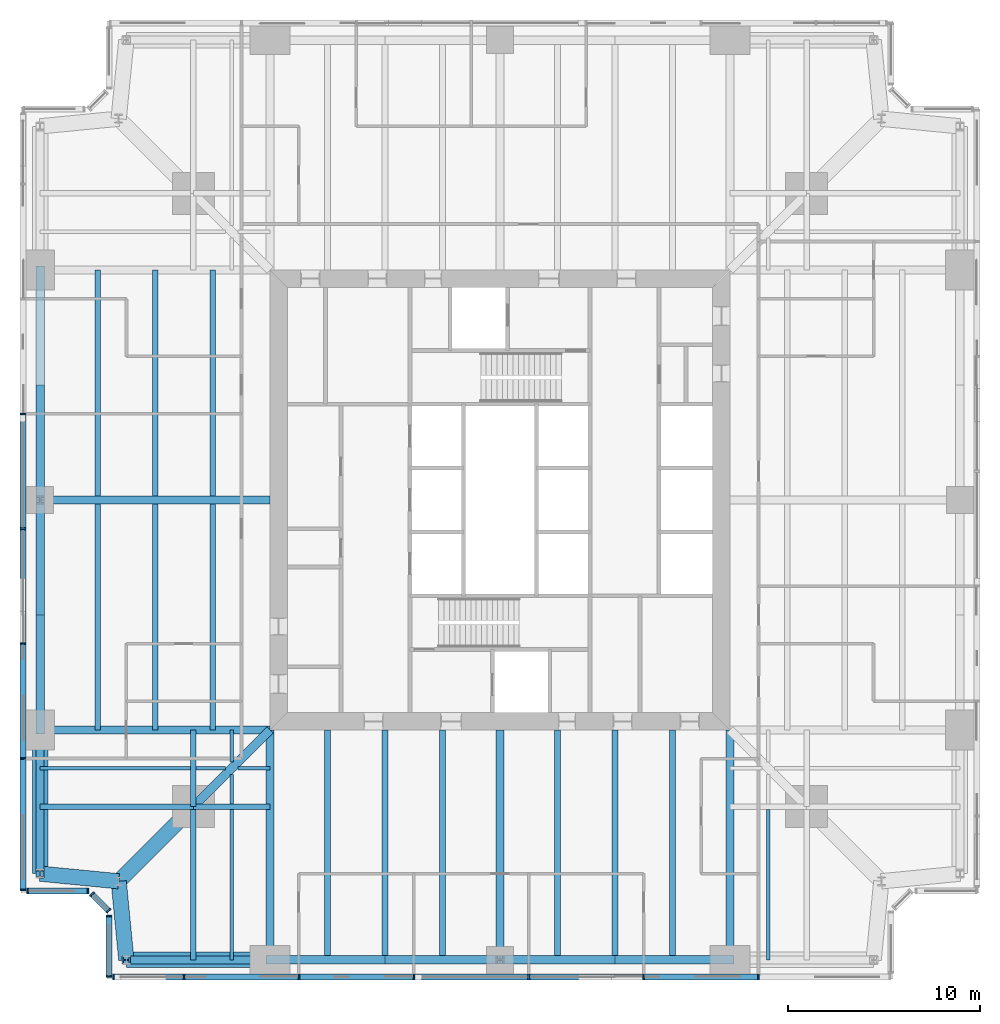
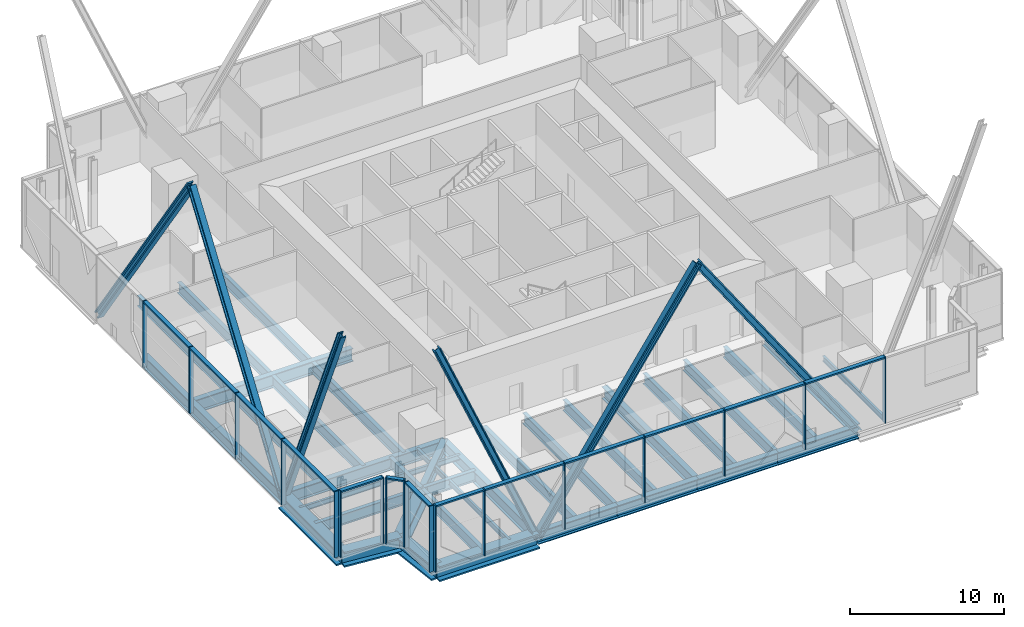
# One storey, part 2 of 13: 41 beams, 37 members, 5 elements without a shape of their own.
"""IFC4 building model written with IfcOpenShell, lengths in metres."""

import ifcopenshell
import ifcopenshell.guid

model = None  # the IFC model being written
_history = None  # IfcOwnerHistory: only IFC2X3 demands one
_inside = {}  # id of a spatial element -> (the spatial element, [elements in it])
_under = {}  # id of a project, library or spatial element -> (it, [spatial elements below it])
_declared = {}  # id of a project -> (the project, [libraries it declares])
_typed = {}  # id of a type object -> (the type object, [elements of that type])
_made_of = {}  # id of a material, layer set ... -> (it, [elements and type objects made of it])


def new_model(schema):
    """Start an empty IFC model of exactly this schema.

    Asked for "IFC4X3", IfcOpenShell would pick the latest addendum, in which some entities
    have other attributes; the version numbers below select the first issue.
    IFC2X3 requires an IfcOwnerHistory on every rooted entity: one is made here for all.
    """
    global model, _history
    if schema == "IFC4X3":
        model = ifcopenshell.file(schema_version=(4, 3, 0, 0))
    else:
        model = ifcopenshell.file(schema=schema)
    _inside.clear()
    _under.clear()
    _declared.clear()
    _typed.clear()
    _made_of.clear()
    _history = None
    if model.schema == "IFC2X3":
        org = make("IfcOrganization", Name="unknown")
        user = make(
            "IfcPersonAndOrganization",
            ThePerson=make("IfcPerson", FamilyName="unknown"),
            TheOrganization=org,
        )
        app = make(
            "IfcApplication",
            ApplicationDeveloper=org,
            Version="unknown",
            ApplicationFullName="unknown",
            ApplicationIdentifier="unknown",
        )
        _history = make(
            "IfcOwnerHistory",
            OwningUser=user,
            OwningApplication=app,
            ChangeAction="ADDED",
            CreationDate=0,
        )
    return model


def make(cls, **values):
    """One entity of the class cls with the attributes given. An attribute that is None is left unset."""
    return model.create_entity(
        cls, **{name: value for name, value in values.items() if value is not None}
    )


def rooted(cls, **values):
    """An entity with a GlobalId (a new one), such as an element, a storey or a relation."""
    return make(cls, GlobalId=ifcopenshell.guid.new(), OwnerHistory=_history, **values)


def si_unit(unit_type, name, prefix=None):
    """IfcSIUnit, for example si_unit("LENGTHUNIT", "METRE", prefix="MILLI")."""
    return make("IfcSIUnit", UnitType=unit_type, Prefix=prefix, Name=name)


def assignment(units):
    """IfcUnitAssignment: the units of a project."""
    return None if units is None else make("IfcUnitAssignment", Units=units)


def point(xyz):
    """IfcCartesianPoint."""
    return None if xyz is None else make("IfcCartesianPoint", Coordinates=xyz)


def direction(xyz):
    """IfcDirection."""
    return None if xyz is None else make("IfcDirection", DirectionRatios=xyz)


def frame(location, z_axis=None, x_axis=None):
    """IfcAxis2Placement3D, a coordinate frame: its origin and axes. An axis left out is left unset."""
    return make(
        "IfcAxis2Placement3D",
        Location=point(location),
        Axis=direction(z_axis),
        RefDirection=direction(x_axis),
    )


def frame_2d(location, x_axis=None):
    """IfcAxis2Placement2D, a coordinate frame in the plane: its origin and x axis."""
    return make(
        "IfcAxis2Placement2D", Location=point(location), RefDirection=direction(x_axis)
    )


def origin():
    """The frame at (0, 0, 0) with its axes left unset."""
    return frame((0.0, 0.0, 0.0))


def origin_2d():
    """The frame at (0, 0) in the plane with its x axis left unset."""
    return frame_2d((0.0, 0.0))


def place(relative_to, where):
    """IfcLocalPlacement: puts the frame where relative to a parent placement (None: the world)."""
    return make(
        "IfcLocalPlacement", PlacementRelTo=relative_to, RelativePlacement=where
    )


def context(
    kind, dimensions, precision=None, world=None, true_north=None, identifier=None
):
    """IfcGeometricRepresentationContext, for example the 3D "Model" context."""
    return make(
        "IfcGeometricRepresentationContext",
        ContextIdentifier=identifier,
        ContextType=kind,
        CoordinateSpaceDimension=dimensions,
        Precision=precision,
        WorldCoordinateSystem=world,
        TrueNorth=true_north,
    )


def subcontext(parent, identifier, kind, view, scale=None):
    """IfcGeometricRepresentationSubContext, for example "Body" below "Model"."""
    return make(
        "IfcGeometricRepresentationSubContext",
        ContextIdentifier=identifier,
        ContextType=kind,
        ParentContext=parent,
        TargetScale=scale,
        TargetView=view,
    )


def project(units=None, contexts=None):
    """IfcProject with its units and contexts."""
    return rooted(
        "IfcProject",
        Name="project",
        RepresentationContexts=contexts,
        UnitsInContext=assignment(units),
    )


def spatial(cls, under=None, at=None, **own):
    """A site, building, storey or space (cls), placed at a placement, below another one or the project."""
    s = rooted(cls, ObjectPlacement=at, **own)
    if under is not None:
        _under.setdefault(under.id(), (under, []))[1].append(s)
    return s


def profile(cls, at=None, kind="AREA", **sizes):
    """A parametric profile (cls). Its sizes go by their IFC names, for example OverallWidth=200.0."""
    return make(cls, ProfileType=kind, Position=at, **sizes)


def rectangle(**sizes):
    """IfcRectangleProfileDef."""
    return profile("IfcRectangleProfileDef", **sizes)


def i_section(**sizes):
    """IfcIShapeProfileDef."""
    return profile("IfcIShapeProfileDef", **sizes)


def extrude(swept, where, along, depth):
    """IfcExtrudedAreaSolid: the profile swept, set in the frame where, extruded along a direction by depth."""
    return make(
        "IfcExtrudedAreaSolid",
        SweptArea=swept,
        Position=where,
        ExtrudedDirection=direction(along),
        Depth=depth,
    )


def shape(context_of_items, identifier, shape_type, items):
    """IfcShapeRepresentation: the items that make up one representation, for example the "Body"."""
    return make(
        "IfcShapeRepresentation",
        ContextOfItems=context_of_items,
        RepresentationIdentifier=identifier,
        RepresentationType=shape_type,
        Items=items,
    )


def material(Name=None, Category=None):
    """IfcMaterial."""
    return make("IfcMaterial", Name=Name, Category=Category)


def material_profile(
    of_material, cross_section, Name=None, Category=None, Priority=None
):
    """IfcMaterialProfile: a cross section and its material."""
    return make(
        "IfcMaterialProfile",
        Name=Name,
        Material=of_material,
        Profile=cross_section,
        Priority=Priority,
        Category=Category,
    )


def profile_set(profiles, Name=None, composite=None):
    """IfcMaterialProfileSet."""
    return make(
        "IfcMaterialProfileSet",
        Name=Name,
        MaterialProfiles=profiles,
        CompositeProfile=composite,
    )


def made_of(thing, what):
    """Note that an element or type object is made of a material, layer set ...; save() writes the relation."""
    if what is not None:
        _made_of.setdefault(what.id(), (what, []))[1].append(thing)
    return thing


def type_object(cls, material=None, **own):
    """A type object (cls), such as IfcWallType, which elements share."""
    return made_of(rooted(cls, **own), material)


def element(
    cls,
    number,
    at=None,
    inside=None,
    cuts=None,
    type_object=None,
    material=None,
    context=None,
    identifier="Body",
    shape_type=None,
    held_by="IfcProductDefinitionShape",
    body=None,
    shapes=None,
    **own,
):
    """One element of the class cls, such as IfcWall. Its Tag is "e" and its number.

    at: its placement. inside: the storey or other place that contains it. cuts: it is an
    opening in that element (IfcRelVoidsElement). A single representation is given by context,
    identifier, shape_type and body (its items); several are given by shapes. held_by: the class
    of the entity that holds the representations. save() writes the other relations.
    """
    e = rooted(cls, Tag="e%d" % number, ObjectPlacement=at, **own)
    if body is not None:
        shapes = [shape(context, identifier, shape_type, body)]
    if shapes is not None:
        e.Representation = make(held_by, Representations=shapes)
    if inside is not None:
        _inside.setdefault(inside.id(), (inside, []))[1].append(e)
    if cuts is not None:
        rooted(
            "IfcRelVoidsElement", RelatingBuildingElement=cuts, RelatedOpeningElement=e
        )
    if type_object is not None:
        _typed.setdefault(type_object.id(), (type_object, []))[1].append(e)
    return made_of(e, material)


def aggregate(whole, parts):
    """IfcRelAggregates: a whole, such as a stair, and the parts it consists of."""
    return rooted("IfcRelAggregates", RelatingObject=whole, RelatedObjects=parts)


def save(model, path):
    """Write the relations noted so far, then the file.

    IfcRelAggregates (storeys below a building ...), IfcRelContainedInSpatialStructure (elements
    in a storey), IfcRelDefinesByType, IfcRelAssociatesMaterial and IfcRelDeclares: one each for
    every whole, place, type object, material and project.
    """
    for whole, parts in _under.values():
        aggregate(whole, parts)
    for where, things in _inside.values():
        rooted(
            "IfcRelContainedInSpatialStructure",
            RelatedElements=things,
            RelatingStructure=where,
        )
    for kind, things in _typed.values():
        rooted("IfcRelDefinesByType", RelatedObjects=things, RelatingType=kind)
    for what, things in _made_of.values():
        rooted("IfcRelAssociatesMaterial", RelatedObjects=things, RelatingMaterial=what)
    for by, libraries in _declared.values():
        rooted("IfcRelDeclares", RelatingContext=by, RelatedDefinitions=libraries)
    model.write(path)


model = new_model("IFC4")

# Units and contexts
model_context = context("Model", 3, precision=1e-05, world=origin(), true_north=direction((0.0, 1.0)))
body_context = subcontext(model_context, "Body", "Model", "MODEL_VIEW")
ifc_project = project(units=[si_unit("LENGTHUNIT", "METRE"), si_unit("AREAUNIT", "SQUARE_METRE"), si_unit("VOLUMEUNIT", "CUBIC_METRE"), si_unit("PLANEANGLEUNIT", "RADIAN"), si_unit("MASSUNIT", "GRAM", prefix="KILO")], contexts=[model_context])

# Site, building, storey
site_placement = place(None, origin())
site = spatial("IfcSite", under=ifc_project, at=site_placement, CompositionType="ELEMENT")
building_placement = place(site_placement, origin())
building = spatial("IfcBuilding", under=site, at=building_placement, Name="Fenwick Lantern Interchange", CompositionType="ELEMENT")
storey_placement = place(building_placement, frame((0.0, 0.0, 97.0)))
storey = spatial("IfcBuildingStorey", under=building, at=storey_placement, Name="L22", CompositionType="ELEMENT", Elevation=97.0)

# Members
ifc_material_1 = material(Name="Steel ASTM A992 Grade 50", Category="steel")
ifc_material_profile_1 = material_profile(ifc_material_1, i_section(OverallWidth=0.424072265625, OverallDepth=0.47509765625, WebThickness=0.0478515625, FlangeThickness=0.0771484375, at=origin_2d()), Name="W14X426")
ifc_profile_set_1 = profile_set([ifc_material_profile_1], Name="Steel ASTM A992 Grade 50")
member_type_1 = type_object("IfcMemberType", Name="FACADE BRACE W14X426", PredefinedType="BRACE", material=ifc_profile_set_1)
for number, where, z_axis, x_axis, name in (
    (1, (13.0, 1.0, -0.696533203125), (-0.394095795697, 0.0, 0.919069368336), (0.0, -1.0, 0.0), "L22/FB/S/AE"),
    (2, (1.0, 13.0, -0.696533203125), (0.0, -0.394095795697, 0.919069368336), (1.0, 0.0, 0.0), "L22/FB/W/BE"),
):
    element("IfcMember", number, at=place(storey_placement, frame(where, z_axis=z_axis, x_axis=x_axis)), inside=storey, type_object=member_type_1, Name=name, PredefinedType="BRACE", context=body_context, shape_type="SweptSolid", body=[
        extrude(i_section(OverallWidth=0.424072265625, OverallDepth=0.47509765625, WebThickness=0.0478515625, FlangeThickness=0.0771484375, at=origin_2d()), origin(), (0.0, 0.0, 1.0), 19.031005859375),
    ])
ifc_material_profile_2 = material_profile(ifc_material_1, i_section(OverallWidth=0.44189453125, OverallDepth=0.53076171875, WebThickness=0.06591796875, FlangeThickness=0.105712890625, at=origin_2d()), Name="W14X605")
ifc_profile_set_2 = profile_set([ifc_material_profile_2], Name="Steel ASTM A992 Grade 50")
member_type_2 = type_object("IfcMemberType", Name="FACADE BRACE W14X605", PredefinedType="BRACE", material=ifc_profile_set_2)
for number, where, z_axis, x_axis, name in (
    (3, (13.0, 1.0, -0.696533203125), (0.565732332995, 0.0, 0.824588944507), (0.0, 1.0, 0.0), "L22/FB/S/A"),
    (4, (37.0, 1.0, -0.696533203125), (-0.565732332995, 0.0, 0.824588944507), (0.0, -1.0, 0.0), "L22/FB/S/B"),
    (5, (1.0, 37.0, -0.696533203125), (0.0, -0.565732332995, 0.824588944507), (1.0, 0.0, 0.0), "L22/FB/W/A"),
    (6, (1.0, 13.0, -0.696533203125), (0.0, 0.565732332995, 0.824588944507), (-1.0, 0.0, 0.0), "L22/FB/W/B"),
):
    element("IfcMember", number, at=place(storey_placement, frame(where, z_axis=z_axis, x_axis=x_axis)), inside=storey, type_object=member_type_2, Name=name, PredefinedType="BRACE", context=body_context, shape_type="SweptSolid", body=[
        extrude(i_section(OverallWidth=0.44189453125, OverallDepth=0.53076171875, WebThickness=0.06591796875, FlangeThickness=0.105712890625, at=origin_2d()), origin(), (0.0, 0.0, 1.0), 21.21142578125),
    ])

# Beams
ifc_material_profile_3 = material_profile(ifc_material_1, i_section(OverallWidth=0.2919921875, OverallDepth=0.845703125, WebThickness=0.015380859375, FlangeThickness=0.0244140625, at=origin_2d()), Name="W33X141")
ifc_profile_set_3 = profile_set([ifc_material_profile_3], Name="Steel ASTM A992 Grade 50")
beam_type_1 = type_object("IfcBeamType", Name="FLOOR BEAM W33X141", PredefinedType="BEAM", material=ifc_profile_set_3)
for number, where, z_axis, x_axis, name in (
    (7, (16.0, 1.0, -0.622802734375), (0.0, 1.0, 0.0), (-1.0, 0.0, 0.0), "L22/FR/S/R02"),
    (8, (19.0, 1.0, -0.622802734375), (0.0, 1.0, 0.0), (-1.0, 0.0, 0.0), "L22/FR/S/R03"),
    (9, (22.0, 1.0, -0.622802734375), (0.0, 1.0, 0.0), (-1.0, 0.0, 0.0), "L22/FR/S/R04"),
    (10, (28.0, 1.0, -0.622802734375), (0.0, 1.0, 0.0), (-1.0, 0.0, 0.0), "L22/FR/S/R06"),
    (11, (31.0, 1.0, -0.622802734375), (0.0, 1.0, 0.0), (-1.0, 0.0, 0.0), "L22/FR/S/R07"),
    (12, (34.0, 1.0, -0.622802734375), (0.0, 1.0, 0.0), (-1.0, 0.0, 0.0), "L22/FR/S/R08"),
):
    element("IfcBeam", number, at=place(storey_placement, frame(where, z_axis=z_axis, x_axis=x_axis)), inside=storey, type_object=beam_type_1, Name=name, PredefinedType="BEAM", context=body_context, shape_type="SweptSolid", body=[
        extrude(i_section(OverallWidth=0.2919921875, OverallDepth=0.845703125, WebThickness=0.015380859375, FlangeThickness=0.0244140625, at=origin_2d()), origin(), (0.0, 0.0, 1.0), 12.0),
    ])
for number, where, z_axis, x_axis, name in (
    (13, (4.0, 37.0, -0.622802734375), (0.0, -1.0, 0.0), (1.0, 0.0, 0.0), "L22/FR/W/B01"),
    (14, (7.0, 37.0, -0.622802734375), (0.0, -1.0, 0.0), (1.0, 0.0, 0.0), "L22/FR/W/B02"),
    (15, (10.0, 37.0, -0.622802734375), (0.0, -1.0, 0.0), (1.0, 0.0, 0.0), "L22/FR/W/B03"),
    (16, (4.0, 24.79541015625, -0.622802734375), (0.0, -1.0, 0.0), (1.0, 0.0, 0.0), "L22/FR/W/B04"),
    (17, (7.0, 24.79541015625, -0.622802734375), (0.0, -1.0, 0.0), (1.0, 0.0, 0.0), "L22/FR/W/B05"),
    (18, (10.0, 24.79541015625, -0.622802734375), (0.0, -1.0, 0.0), (1.0, 0.0, 0.0), "L22/FR/W/B06"),
):
    element("IfcBeam", number, at=place(storey_placement, frame(where, z_axis=z_axis, x_axis=x_axis)), inside=storey, type_object=beam_type_1, Name=name, PredefinedType="BEAM", context=body_context, shape_type="SweptSolid", body=[
        extrude(i_section(OverallWidth=0.2919921875, OverallDepth=0.845703125, WebThickness=0.015380859375, FlangeThickness=0.0244140625, at=origin_2d()), origin(), (0.0, 0.0, 1.0), 11.79541015625),
    ])
ifc_material_profile_4 = material_profile(ifc_material_1, i_section(OverallWidth=0.177734375, OverallDepth=0.406494140625, WebThickness=0.0078125, FlangeThickness=0.012939453125, at=origin_2d()), Name="W16X40")
ifc_profile_set_4 = profile_set([ifc_material_profile_4], Name="Steel ASTM A992 Grade 50")
beam_type_2 = type_object("IfcBeamType", Name="INFILL BEAM W16X40", PredefinedType="JOIST", material=ifc_profile_set_4)
beam_1_placement = place(storey_placement, frame((11.0, 1.0, -0.4033203125), z_axis=(0.0, 1.0, 0.0), x_axis=(-1.0, 0.0, 0.0)))
element("IfcBeam", 19, at=beam_1_placement, inside=storey, type_object=beam_type_2, Name="L22/FR/S/J1", PredefinedType="JOIST", context=body_context, shape_type="SweptSolid", body=[
    extrude(i_section(OverallWidth=0.177734375, OverallDepth=0.406494140625, WebThickness=0.0078125, FlangeThickness=0.012939453125, at=origin_2d()), origin(), (0.0, 0.0, 1.0), 7.85400390625),
])
beam_2_placement = place(storey_placement, frame((11.0, 9.14599609375, -0.4033203125), z_axis=(0.0, 1.0, 0.0), x_axis=(-1.0, 0.0, 0.0)))
element("IfcBeam", 20, at=beam_2_placement, inside=storey, type_object=beam_type_2, Name="L22/FR/S/J2", PredefinedType="JOIST", context=body_context, shape_type="SweptSolid", body=[
    extrude(i_section(OverallWidth=0.177734375, OverallDepth=0.406494140625, WebThickness=0.0078125, FlangeThickness=0.012939453125, at=origin_2d()), origin(), (0.0, 0.0, 1.0), 1.537841796875),
])
beam_3_placement = place(storey_placement, frame((11.0, 11.316162109375, -0.4033203125), z_axis=(0.0, 1.0, 0.0), x_axis=(-1.0, 0.0, 0.0)))
element("IfcBeam", 21, at=beam_3_placement, inside=storey, type_object=beam_type_2, Name="L22/FR/S/J6", PredefinedType="JOIST", context=body_context, shape_type="SweptSolid", body=[
    extrude(i_section(OverallWidth=0.177734375, OverallDepth=0.406494140625, WebThickness=0.0078125, FlangeThickness=0.012939453125, at=origin_2d()), origin(), (0.0, 0.0, 1.0), 1.683837890625),
])
beam_4_placement = place(storey_placement, frame((1.0, 11.0, -0.4033203125), z_axis=(1.0, 0.0, 0.0), x_axis=(0.0, 1.0, 0.0)))
element("IfcBeam", 22, at=beam_4_placement, inside=storey, type_object=beam_type_2, Name="L22/FR/S/J3", PredefinedType="JOIST", context=body_context, shape_type="SweptSolid", body=[
    extrude(i_section(OverallWidth=0.177734375, OverallDepth=0.406494140625, WebThickness=0.0078125, FlangeThickness=0.012939453125, at=origin_2d()), origin(), (0.0, 0.0, 1.0), 7.85400390625),
])
beam_5_placement = place(storey_placement, frame((9.14599609375, 11.0, -0.4033203125), z_axis=(1.0, 0.0, 0.0), x_axis=(0.0, 1.0, 0.0)))
element("IfcBeam", 23, at=beam_5_placement, inside=storey, type_object=beam_type_2, Name="L22/FR/S/J4", PredefinedType="JOIST", context=body_context, shape_type="SweptSolid", body=[
    extrude(i_section(OverallWidth=0.177734375, OverallDepth=0.406494140625, WebThickness=0.0078125, FlangeThickness=0.012939453125, at=origin_2d()), origin(), (0.0, 0.0, 1.0), 1.537841796875),
])
beam_6_placement = place(storey_placement, frame((11.316162109375, 11.0, -0.4033203125), z_axis=(1.0, 0.0, 0.0), x_axis=(0.0, 1.0, 0.0)))
element("IfcBeam", 24, at=beam_6_placement, inside=storey, type_object=beam_type_2, Name="L22/FR/S/J5", PredefinedType="JOIST", context=body_context, shape_type="SweptSolid", body=[
    extrude(i_section(OverallWidth=0.177734375, OverallDepth=0.406494140625, WebThickness=0.0078125, FlangeThickness=0.012939453125, at=origin_2d()), origin(), (0.0, 0.0, 1.0), 1.683837890625),
])
beam_7_placement = place(storey_placement, frame((39.0, 1.0, -0.4033203125), z_axis=(0.0, 1.0, 0.0), x_axis=(-1.0, 0.0, 0.0)))
element("IfcBeam", 25, at=beam_7_placement, inside=storey, type_object=beam_type_2, Name="L22/FR/E/J3", PredefinedType="JOIST", context=body_context, shape_type="SweptSolid", body=[
    extrude(i_section(OverallWidth=0.177734375, OverallDepth=0.406494140625, WebThickness=0.0078125, FlangeThickness=0.012939453125, at=origin_2d()), origin(), (0.0, 0.0, 1.0), 7.85400390625),
])
ifc_material_profile_5 = material_profile(ifc_material_1, i_section(OverallWidth=0.2919921875, OverallDepth=0.845703125, WebThickness=0.015380859375, FlangeThickness=0.0244140625, at=origin_2d()), Name="W33X141")
ifc_profile_set_5 = profile_set([ifc_material_profile_5], Name="Steel ASTM A992 Grade 50")
beam_type_3 = type_object("IfcBeamType", Name="MEGA COLUMN BEAM W33X141", PredefinedType="BEAM", material=ifc_profile_set_5)
for number, where, z_axis, x_axis, name in (
    (26, (9.0, 9.0, -0.622802734375), (0.0, -1.0, 0.0), (1.0, 0.0, 0.0), "L22/FR/S/MB1"),
    (27, (9.0, 9.0, -0.622802734375), (-1.0, 0.0, 0.0), (0.0, -1.0, 0.0), "L22/FR/S/MB2"),
):
    element("IfcBeam", number, at=place(storey_placement, frame(where, z_axis=z_axis, x_axis=x_axis)), inside=storey, type_object=beam_type_3, Name=name, PredefinedType="BEAM", context=body_context, shape_type="SweptSolid", body=[
        extrude(i_section(OverallWidth=0.2919921875, OverallDepth=0.845703125, WebThickness=0.015380859375, FlangeThickness=0.0244140625, at=origin_2d()), origin(), (0.0, 0.0, 1.0), 8.0),
    ])
for number, where, z_axis, x_axis, name in (
    (28, (9.0, 9.0, -0.622802734375), (1.0, 0.0, 0.0), (0.0, 1.0, 0.0), "L22/FR/S/MB3"),
    (29, (9.0, 9.0, -0.622802734375), (0.0, 1.0, 0.0), (-1.0, 0.0, 0.0), "L22/FR/S/MB4"),
):
    element("IfcBeam", number, at=place(storey_placement, frame(where, z_axis=z_axis, x_axis=x_axis)), inside=storey, type_object=beam_type_3, Name=name, PredefinedType="BEAM", context=body_context, shape_type="SweptSolid", body=[
        extrude(i_section(OverallWidth=0.2919921875, OverallDepth=0.845703125, WebThickness=0.015380859375, FlangeThickness=0.0244140625, at=origin_2d()), origin(), (0.0, 0.0, 1.0), 4.0),
    ])
ifc_material_profile_6 = material_profile(ifc_material_1, i_section(OverallWidth=0.424072265625, OverallDepth=0.947509765625, WebThickness=0.02392578125, FlangeThickness=0.042724609375, at=origin_2d()), Name="W36X302")
ifc_profile_set_6 = profile_set([ifc_material_profile_6], Name="Steel ASTM A992 Grade 50")
beam_type_4 = type_object("IfcBeamType", Name="MOMENT-CONNECTED GIRDER W36X302", PredefinedType="BEAM", material=ifc_profile_set_6)
for number, where, z_axis, x_axis, name in (
    (30, (13.0, 1.0, -0.673828125), (0.0, 1.0, 0.0), (-1.0, 0.0, 0.0), "L22/FR/S/R01"),
    (31, (25.0, 1.0, -0.673828125), (0.0, 1.0, 0.0), (-1.0, 0.0, 0.0), "L22/FR/S/R05"),
    (32, (37.0, 1.0, -0.673828125), (0.0, 1.0, 0.0), (-1.0, 0.0, 0.0), "L22/FR/S/R09"),
    (33, (1.0, 13.0, -0.673828125), (1.0, 0.0, 0.0), (0.0, 1.0, 0.0), "L22/FR/W/R03"),
):
    element("IfcBeam", number, at=place(storey_placement, frame(where, z_axis=z_axis, x_axis=x_axis)), inside=storey, type_object=beam_type_4, Name=name, PredefinedType="BEAM", context=body_context, shape_type="SweptSolid", body=[
        extrude(i_section(OverallWidth=0.424072265625, OverallDepth=0.947509765625, WebThickness=0.02392578125, FlangeThickness=0.042724609375, at=origin_2d()), origin(), (0.0, 0.0, 1.0), 12.0),
    ])
ifc_material_profile_7 = material_profile(ifc_material_1, i_section(OverallWidth=0.408935546875, OverallDepth=1.04150390625, WebThickness=0.031005859375, FlangeThickness=0.055908203125, at=origin_2d()), Name="W40X397")
ifc_profile_set_7 = profile_set([ifc_material_profile_7], Name="Steel ASTM A992 Grade 50")
beam_type_5 = type_object("IfcBeamType", Name="MOMENT-CONNECTED GIRDER W40X397", PredefinedType="BEAM", material=ifc_profile_set_7)
beam_8_placement = place(storey_placement, frame((1.0, 25.0, -0.720703125), z_axis=(1.0, 0.0, 0.0), x_axis=(0.0, 1.0, 0.0)))
element("IfcBeam", 34, at=beam_8_placement, inside=storey, type_object=beam_type_5, Name="L22/FR/W/R02", PredefinedType="BEAM", context=body_context, shape_type="SweptSolid", body=[
    extrude(i_section(OverallWidth=0.408935546875, OverallDepth=1.04150390625, WebThickness=0.031005859375, FlangeThickness=0.055908203125, at=origin_2d()), origin(), (0.0, 0.0, 1.0), 12.0),
])
ifc_material_2 = material(Name="Steel ASTM A572 Grade 42", Category="steel")
ifc_material_profile_8 = material_profile(ifc_material_2, i_section(OverallWidth=0.800048828125, OverallDepth=1.199951171875, WebThickness=0.06005859375, FlangeThickness=0.1201171875, at=origin_2d()), Name="BU1200X800")
ifc_profile_set_8 = profile_set([ifc_material_profile_8], Name="Steel ASTM A572 Grade 42")
beam_type_6 = type_object("IfcBeamType", Name="MOMENT-CONNECTED TRANSFER GIRDER BU1200X800", PredefinedType="BEAM", material=ifc_profile_set_8)
beam_9_placement = place(storey_placement, frame((5.5, 1.0, -0.800048828125), z_axis=(1.0, 0.0, 0.0), x_axis=(0.0, 1.0, 0.0)))
element("IfcBeam", 35, at=beam_9_placement, inside=storey, type_object=beam_type_6, Name="L22/FR/S/EB1", PredefinedType="BEAM", context=body_context, shape_type="SweptSolid", body=[
    extrude(i_section(OverallWidth=0.800048828125, OverallDepth=1.199951171875, WebThickness=0.06005859375, FlangeThickness=0.1201171875, at=origin_2d()), origin(), (0.0, 0.0, 1.0), 7.5),
])
beam_10_placement = place(storey_placement, frame((9.0, 9.0, -0.800048828125), z_axis=(-0.707106781187, -0.707106781187, 0.0), x_axis=(0.707106781187, -0.707106781187, 0.0)))
element("IfcBeam", 36, at=beam_10_placement, inside=storey, type_object=beam_type_6, Name="L22/FR/S/TG", PredefinedType="BEAM", context=body_context, shape_type="SweptSolid", body=[
    extrude(i_section(OverallWidth=0.800048828125, OverallDepth=1.199951171875, WebThickness=0.06005859375, FlangeThickness=0.1201171875, at=origin_2d()), origin(), (0.0, 0.0, 1.0), 5.515380859375),
])
beam_11_placement = place(storey_placement, frame((1.0, 13.0, -0.800048828125), z_axis=(0.0, -1.0, 0.0), x_axis=(1.0, 0.0, 0.0)))
element("IfcBeam", 37, at=beam_11_placement, inside=storey, type_object=beam_type_6, Name="L22/FR/W/EB6", PredefinedType="BEAM", context=body_context, shape_type="SweptSolid", body=[
    extrude(i_section(OverallWidth=0.800048828125, OverallDepth=1.199951171875, WebThickness=0.06005859375, FlangeThickness=0.1201171875, at=origin_2d()), origin(), (0.0, 0.0, 1.0), 7.5),
])
for number, where, z_axis, x_axis, name in (
    (38, (1.0, 5.5, -0.800048828125), (0.995277148028, -0.097074191287, 0.0), (0.097074191287, 0.995277148028, 0.0), "L22/FR/W/EBR1"),
    (39, (5.10009765625, 5.10009765625, -0.800048828125), (0.097074191287, -0.995277148028, 0.0), (0.995277148028, 0.097074191287, 0.0), "L22/FR/W/EBR2"),
):
    element("IfcBeam", number, at=place(storey_placement, frame(where, z_axis=z_axis, x_axis=x_axis)), inside=storey, type_object=beam_type_6, Name=name, PredefinedType="BEAM", context=body_context, shape_type="SweptSolid", body=[
        extrude(i_section(OverallWidth=0.800048828125, OverallDepth=1.199951171875, WebThickness=0.06005859375, FlangeThickness=0.1201171875, at=origin_2d()), origin(), (0.0, 0.0, 1.0), 4.11962890625),
    ])
ifc_material_profile_9 = material_profile(ifc_material_1, i_section(OverallWidth=0.447021484375, OverallDepth=1.0439453125, WebThickness=0.050048828125, FlangeThickness=0.08984375, at=origin_2d()), Name="W36X652")
ifc_profile_set_9 = profile_set([ifc_material_profile_9], Name="Steel ASTM A992 Grade 50")
beam_type_7 = type_object("IfcBeamType", Name="OUTRIGGER CHORD W36X652", PredefinedType="BEAM", material=ifc_profile_set_9)
beam_12_placement = place(storey_placement, frame((13.0, 13.0, -0.721923828125), z_axis=(-0.707106781187, -0.707106781187, 0.0), x_axis=(0.707106781187, -0.707106781187, 0.0)))
element("IfcBeam", 40, at=beam_12_placement, inside=storey, type_object=beam_type_7, Name="L22/OR/S/TC", PredefinedType="BEAM", context=body_context, shape_type="SweptSolid", body=[
    extrude(i_section(OverallWidth=0.447021484375, OverallDepth=1.0439453125, WebThickness=0.050048828125, FlangeThickness=0.08984375, at=origin_2d()), origin(), (0.0, 0.0, 1.0), 5.65673828125),
])

# Curtain wall, members
ifc_material_3 = material(Name="Aluminium curtain wall frame", Category="aluminium")
curtain_wall_type = type_object("IfcCurtainWallType", Name="SKY LOBBY GLAZING", PredefinedType="USERDEFINED", material=ifc_material_3)
curtain_wall_1_placement = place(storey_placement, origin())
curtain_wall_1 = element("IfcCurtainWall", 41, at=curtain_wall_1_placement, inside=storey, type_object=curtain_wall_type, Name="Sky lobby glazing 01", ObjectType="SKY LOBBY GLAZING", PredefinedType="USERDEFINED")
ifc_material_4 = material(Name="Aluminium extrusion", Category="aluminium")
ifc_material_profile_10 = material_profile(ifc_material_4, rectangle(XDim=0.300048828125, YDim=0.080078125, at=origin_2d()), Name="SKY LOBBY GLAZING MULLION 80 X 300")
ifc_profile_set_10 = profile_set([ifc_material_profile_10], Name="Aluminium extrusion")
member_type_3 = type_object("IfcMemberType", Name="SKY LOBBY GLAZING MULLION 80 X 300", PredefinedType="MULLION", material=ifc_profile_set_10)
member_1_placement = place(storey_placement, frame((4.840087890625, 0.10009765625, 0.0), z_axis=(0.0, 0.0, 1.0), x_axis=(0.0, 1.0, 0.0)))
member_1 = element("IfcMember", 42, at=member_1_placement, type_object=member_type_3, Name="L22/CW/01/M00", PredefinedType="MULLION", context=body_context, shape_type="SweptSolid", body=[
    extrude(rectangle(XDim=0.300048828125, YDim=0.080078125, at=origin_2d()), origin(), (0.0, 0.0, 1.0), 5.25),
])
member_2_placement = place(storey_placement, frame((8.5, 0.10009765625, 0.0), z_axis=(0.0, 0.0, 1.0), x_axis=(0.0, 1.0, 0.0)))
member_2 = element("IfcMember", 43, at=member_2_placement, type_object=member_type_3, Name="L22/CW/01/M01", PredefinedType="MULLION", context=body_context, shape_type="SweptSolid", body=[
    extrude(rectangle(XDim=0.300048828125, YDim=0.080078125, at=origin_2d()), origin(), (0.0, 0.0, 1.0), 5.25),
])
member_3_placement = place(storey_placement, frame((14.5, 0.10009765625, 0.0), z_axis=(0.0, 0.0, 1.0), x_axis=(0.0, 1.0, 0.0)))
member_3 = element("IfcMember", 44, at=member_3_placement, type_object=member_type_3, Name="L22/CW/01/M02", PredefinedType="MULLION", context=body_context, shape_type="SweptSolid", body=[
    extrude(rectangle(XDim=0.300048828125, YDim=0.080078125, at=origin_2d()), origin(), (0.0, 0.0, 1.0), 5.25),
])
member_4_placement = place(storey_placement, frame((20.5, 0.10009765625, 0.0), z_axis=(0.0, 0.0, 1.0), x_axis=(0.0, 1.0, 0.0)))
member_4 = element("IfcMember", 45, at=member_4_placement, type_object=member_type_3, Name="L22/CW/01/M03", PredefinedType="MULLION", context=body_context, shape_type="SweptSolid", body=[
    extrude(rectangle(XDim=0.300048828125, YDim=0.080078125, at=origin_2d()), origin(), (0.0, 0.0, 1.0), 5.25),
])
member_5_placement = place(storey_placement, frame((26.5, 0.10009765625, 0.0), z_axis=(0.0, 0.0, 1.0), x_axis=(0.0, 1.0, 0.0)))
member_5 = element("IfcMember", 46, at=member_5_placement, type_object=member_type_3, Name="L22/CW/01/M04", PredefinedType="MULLION", context=body_context, shape_type="SweptSolid", body=[
    extrude(rectangle(XDim=0.300048828125, YDim=0.080078125, at=origin_2d()), origin(), (0.0, 0.0, 1.0), 5.25),
])
member_6_placement = place(storey_placement, frame((32.5, 0.10009765625, 0.0), z_axis=(0.0, 0.0, 1.0), x_axis=(0.0, 1.0, 0.0)))
member_6 = element("IfcMember", 47, at=member_6_placement, type_object=member_type_3, Name="L22/CW/01/M05", PredefinedType="MULLION", context=body_context, shape_type="SweptSolid", body=[
    extrude(rectangle(XDim=0.300048828125, YDim=0.080078125, at=origin_2d()), origin(), (0.0, 0.0, 1.0), 5.25),
])
member_7_placement = place(storey_placement, frame((38.5, 0.10009765625, 0.0), z_axis=(0.0, 0.0, 1.0), x_axis=(0.0, 1.0, 0.0)))
member_7 = element("IfcMember", 48, at=member_7_placement, type_object=member_type_3, Name="L22/CW/01/M06", PredefinedType="MULLION", context=body_context, shape_type="SweptSolid", body=[
    extrude(rectangle(XDim=0.300048828125, YDim=0.080078125, at=origin_2d()), origin(), (0.0, 0.0, 1.0), 5.25),
])

curtain_wall_2_placement = place(storey_placement, origin())
curtain_wall_2 = element("IfcCurtainWall", 49, at=curtain_wall_2_placement, inside=storey, type_object=curtain_wall_type, Name="Sky lobby glazing 13", ObjectType="SKY LOBBY GLAZING", PredefinedType="USERDEFINED")
member_8_placement = place(storey_placement, frame((0.10009765625, 29.5, 0.0), z_axis=(0.0, 0.0, 1.0), x_axis=(1.0, 0.0, 0.0)))
member_8 = element("IfcMember", 50, at=member_8_placement, type_object=member_type_3, Name="L22/CW/13/M03", PredefinedType="MULLION", context=body_context, shape_type="SweptSolid", body=[
    extrude(rectangle(XDim=0.300048828125, YDim=0.080078125, at=origin_2d()), origin(), (0.0, 0.0, 1.0), 5.25),
])
member_9_placement = place(storey_placement, frame((0.10009765625, 23.5, 0.0), z_axis=(0.0, 0.0, 1.0), x_axis=(1.0, 0.0, 0.0)))
member_9 = element("IfcMember", 51, at=member_9_placement, type_object=member_type_3, Name="L22/CW/13/M04", PredefinedType="MULLION", context=body_context, shape_type="SweptSolid", body=[
    extrude(rectangle(XDim=0.300048828125, YDim=0.080078125, at=origin_2d()), origin(), (0.0, 0.0, 1.0), 5.25),
])
member_10_placement = place(storey_placement, frame((0.10009765625, 17.5, 0.0), z_axis=(0.0, 0.0, 1.0), x_axis=(1.0, 0.0, 0.0)))
member_10 = element("IfcMember", 52, at=member_10_placement, type_object=member_type_3, Name="L22/CW/13/M05", PredefinedType="MULLION", context=body_context, shape_type="SweptSolid", body=[
    extrude(rectangle(XDim=0.300048828125, YDim=0.080078125, at=origin_2d()), origin(), (0.0, 0.0, 1.0), 5.25),
])
member_11_placement = place(storey_placement, frame((0.10009765625, 11.5, 0.0), z_axis=(0.0, 0.0, 1.0), x_axis=(1.0, 0.0, 0.0)))
member_11 = element("IfcMember", 53, at=member_11_placement, type_object=member_type_3, Name="L22/CW/13/M06", PredefinedType="MULLION", context=body_context, shape_type="SweptSolid", body=[
    extrude(rectangle(XDim=0.300048828125, YDim=0.080078125, at=origin_2d()), origin(), (0.0, 0.0, 1.0), 5.25),
])
member_12_placement = place(storey_placement, frame((0.10009765625, 4.639892578125, 0.0), z_axis=(0.0, 0.0, 1.0), x_axis=(1.0, 0.0, 0.0)))
member_12 = element("IfcMember", 54, at=member_12_placement, type_object=member_type_3, Name="L22/CW/13/M07", PredefinedType="MULLION", context=body_context, shape_type="SweptSolid", body=[
    extrude(rectangle(XDim=0.300048828125, YDim=0.080078125, at=origin_2d()), origin(), (0.0, 0.0, 1.0), 5.25),
])

curtain_wall_3_placement = place(storey_placement, origin())
curtain_wall_3 = element("IfcCurtainWall", 55, at=curtain_wall_3_placement, inside=storey, type_object=curtain_wall_type, Name="Sky lobby glazing 14", ObjectType="SKY LOBBY GLAZING", PredefinedType="USERDEFINED")
member_13_placement = place(storey_placement, frame((0.340087890625, 4.60009765625, 0.0), z_axis=(0.0, 0.0, 1.0), x_axis=(0.0, 1.0, 0.0)))
member_13 = element("IfcMember", 56, at=member_13_placement, type_object=member_type_3, Name="L22/CW/14/M00", PredefinedType="MULLION", context=body_context, shape_type="SweptSolid", body=[
    extrude(rectangle(XDim=0.300048828125, YDim=0.080078125, at=origin_2d()), origin(), (0.0, 0.0, 1.0), 5.25),
])
member_14_placement = place(storey_placement, frame((3.50146484375, 4.60009765625, 0.0), z_axis=(0.0, 0.0, 1.0), x_axis=(0.0, 1.0, 0.0)))
member_14 = element("IfcMember", 57, at=member_14_placement, type_object=member_type_3, Name="L22/CW/14/M01", PredefinedType="MULLION", context=body_context, shape_type="SweptSolid", body=[
    extrude(rectangle(XDim=0.300048828125, YDim=0.080078125, at=origin_2d()), origin(), (0.0, 0.0, 1.0), 5.25),
])

curtain_wall_4_placement = place(storey_placement, origin())
curtain_wall_4 = element("IfcCurtainWall", 58, at=curtain_wall_4_placement, inside=storey, type_object=curtain_wall_type, Name="Sky lobby glazing 15", ObjectType="SKY LOBBY GLAZING", PredefinedType="USERDEFINED")
member_15_placement = place(storey_placement, frame((3.711181640625, 4.43017578125, 0.0), z_axis=(0.0, 0.0, 1.0), x_axis=(0.707106781187, 0.707106781187, 0.0)))
member_15 = element("IfcMember", 59, at=member_15_placement, type_object=member_type_3, Name="L22/CW/15/M00", PredefinedType="MULLION", context=body_context, shape_type="SweptSolid", body=[
    extrude(rectangle(XDim=0.300048828125, YDim=0.080078125, at=origin_2d()), origin(), (0.0, 0.0, 1.0), 5.25),
])
member_16_placement = place(storey_placement, frame((4.57177734375, 3.56982421875, 0.0), z_axis=(0.0, 0.0, 1.0), x_axis=(0.707106781187, 0.707106781187, 0.0)))
member_16 = element("IfcMember", 60, at=member_16_placement, type_object=member_type_3, Name="L22/CW/15/M01", PredefinedType="MULLION", context=body_context, shape_type="SweptSolid", body=[
    extrude(rectangle(XDim=0.300048828125, YDim=0.080078125, at=origin_2d()), origin(), (0.0, 0.0, 1.0), 5.25),
])

curtain_wall_5_placement = place(storey_placement, origin())
curtain_wall_5 = element("IfcCurtainWall", 61, at=curtain_wall_5_placement, inside=storey, type_object=curtain_wall_type, Name="Sky lobby glazing 16", ObjectType="SKY LOBBY GLAZING", PredefinedType="USERDEFINED")
member_17_placement = place(storey_placement, frame((4.60009765625, 3.301513671875, 0.0), z_axis=(0.0, 0.0, 1.0), x_axis=(1.0, 0.0, 0.0)))
member_17 = element("IfcMember", 62, at=member_17_placement, type_object=member_type_3, Name="L22/CW/16/M00", PredefinedType="MULLION", context=body_context, shape_type="SweptSolid", body=[
    extrude(rectangle(XDim=0.300048828125, YDim=0.080078125, at=origin_2d()), origin(), (0.0, 0.0, 1.0), 5.25),
])
member_18_placement = place(storey_placement, frame((4.60009765625, 0.139892578125, 0.0), z_axis=(0.0, 0.0, 1.0), x_axis=(1.0, 0.0, 0.0)))
member_18 = element("IfcMember", 63, at=member_18_placement, type_object=member_type_3, Name="L22/CW/16/M01", PredefinedType="MULLION", context=body_context, shape_type="SweptSolid", body=[
    extrude(rectangle(XDim=0.300048828125, YDim=0.080078125, at=origin_2d()), origin(), (0.0, 0.0, 1.0), 5.25),
])

# Member
ifc_material_profile_11 = material_profile(ifc_material_4, rectangle(XDim=0.300048828125, YDim=0.1201171875, at=origin_2d()), Name="SKY LOBBY GLAZING TRANSOM 120 X 300")
ifc_profile_set_11 = profile_set([ifc_material_profile_11], Name="Aluminium extrusion")
member_type_4 = type_object("IfcMemberType", Name="SKY LOBBY GLAZING TRANSOM 120 X 300", PredefinedType="MULLION", material=ifc_profile_set_11)
member_19_placement = place(storey_placement, frame((4.8798828125, 0.10009765625, 5.18994140625), z_axis=(1.0, 0.0, 0.0), x_axis=(0.0, 1.0, 0.0)))
member_19 = element("IfcMember", 64, at=member_19_placement, type_object=member_type_4, Name="L22/CW/01/T00", PredefinedType="MULLION", context=body_context, shape_type="SweptSolid", body=[
    extrude(rectangle(XDim=0.300048828125, YDim=0.1201171875, at=origin_2d()), origin(), (0.0, 0.0, 1.0), 3.580078125),
])

member_20_placement = place(storey_placement, frame((8.5400390625, 0.10009765625, 5.18994140625), z_axis=(1.0, 0.0, 0.0), x_axis=(0.0, 1.0, 0.0)))
member_20 = element("IfcMember", 65, at=member_20_placement, type_object=member_type_4, Name="L22/CW/01/T01", PredefinedType="MULLION", context=body_context, shape_type="SweptSolid", body=[
    extrude(rectangle(XDim=0.300048828125, YDim=0.1201171875, at=origin_2d()), origin(), (0.0, 0.0, 1.0), 5.919921875),
])

member_21_placement = place(storey_placement, frame((14.5400390625, 0.10009765625, 5.18994140625), z_axis=(1.0, 0.0, 0.0), x_axis=(0.0, 1.0, 0.0)))
member_21 = element("IfcMember", 66, at=member_21_placement, type_object=member_type_4, Name="L22/CW/01/T02", PredefinedType="MULLION", context=body_context, shape_type="SweptSolid", body=[
    extrude(rectangle(XDim=0.300048828125, YDim=0.1201171875, at=origin_2d()), origin(), (0.0, 0.0, 1.0), 5.919921875),
])

member_22_placement = place(storey_placement, frame((20.5400390625, 0.10009765625, 5.18994140625), z_axis=(1.0, 0.0, 0.0), x_axis=(0.0, 1.0, 0.0)))
member_22 = element("IfcMember", 67, at=member_22_placement, type_object=member_type_4, Name="L22/CW/01/T03", PredefinedType="MULLION", context=body_context, shape_type="SweptSolid", body=[
    extrude(rectangle(XDim=0.300048828125, YDim=0.1201171875, at=origin_2d()), origin(), (0.0, 0.0, 1.0), 5.919921875),
])

member_23_placement = place(storey_placement, frame((26.5400390625, 0.10009765625, 5.18994140625), z_axis=(1.0, 0.0, 0.0), x_axis=(0.0, 1.0, 0.0)))
member_23 = element("IfcMember", 68, at=member_23_placement, type_object=member_type_4, Name="L22/CW/01/T04", PredefinedType="MULLION", context=body_context, shape_type="SweptSolid", body=[
    extrude(rectangle(XDim=0.300048828125, YDim=0.1201171875, at=origin_2d()), origin(), (0.0, 0.0, 1.0), 5.919921875),
])

member_24_placement = place(storey_placement, frame((32.5400390625, 0.10009765625, 5.18994140625), z_axis=(1.0, 0.0, 0.0), x_axis=(0.0, 1.0, 0.0)))
member_24 = element("IfcMember", 69, at=member_24_placement, type_object=member_type_4, Name="L22/CW/01/T05", PredefinedType="MULLION", context=body_context, shape_type="SweptSolid", body=[
    extrude(rectangle(XDim=0.300048828125, YDim=0.1201171875, at=origin_2d()), origin(), (0.0, 0.0, 1.0), 5.919921875),
])

aggregate(curtain_wall_1, [member_1, member_2, member_3, member_4, member_5, member_6, member_7, member_19, member_20, member_21, member_22, member_23, member_24])

member_25_placement = place(storey_placement, frame((0.10009765625, 29.4599609375, 5.18994140625), z_axis=(0.0, -1.0, 0.0), x_axis=(1.0, 0.0, 0.0)))
member_25 = element("IfcMember", 70, at=member_25_placement, type_object=member_type_4, Name="L22/CW/13/T03", PredefinedType="MULLION", context=body_context, shape_type="SweptSolid", body=[
    extrude(rectangle(XDim=0.300048828125, YDim=0.1201171875, at=origin_2d()), origin(), (0.0, 0.0, 1.0), 5.919921875),
])

member_26_placement = place(storey_placement, frame((0.10009765625, 23.4599609375, 5.18994140625), z_axis=(0.0, -1.0, 0.0), x_axis=(1.0, 0.0, 0.0)))
member_26 = element("IfcMember", 71, at=member_26_placement, type_object=member_type_4, Name="L22/CW/13/T04", PredefinedType="MULLION", context=body_context, shape_type="SweptSolid", body=[
    extrude(rectangle(XDim=0.300048828125, YDim=0.1201171875, at=origin_2d()), origin(), (0.0, 0.0, 1.0), 5.919921875),
])

member_27_placement = place(storey_placement, frame((0.10009765625, 17.4599609375, 5.18994140625), z_axis=(0.0, -1.0, 0.0), x_axis=(1.0, 0.0, 0.0)))
member_27 = element("IfcMember", 72, at=member_27_placement, type_object=member_type_4, Name="L22/CW/13/T05", PredefinedType="MULLION", context=body_context, shape_type="SweptSolid", body=[
    extrude(rectangle(XDim=0.300048828125, YDim=0.1201171875, at=origin_2d()), origin(), (0.0, 0.0, 1.0), 5.919921875),
])

member_28_placement = place(storey_placement, frame((0.10009765625, 11.4599609375, 5.18994140625), z_axis=(0.0, -1.0, 0.0), x_axis=(1.0, 0.0, 0.0)))
member_28 = element("IfcMember", 73, at=member_28_placement, type_object=member_type_4, Name="L22/CW/13/T06", PredefinedType="MULLION", context=body_context, shape_type="SweptSolid", body=[
    extrude(rectangle(XDim=0.300048828125, YDim=0.1201171875, at=origin_2d()), origin(), (0.0, 0.0, 1.0), 6.780029296875),
])

aggregate(curtain_wall_2, [member_8, member_9, member_10, member_11, member_12, member_25, member_26, member_27, member_28])

member_29_placement = place(storey_placement, frame((0.3798828125, 4.60009765625, 5.18994140625), z_axis=(1.0, 0.0, 0.0), x_axis=(0.0, 1.0, 0.0)))
member_29 = element("IfcMember", 74, at=member_29_placement, type_object=member_type_4, Name="L22/CW/14/T00", PredefinedType="MULLION", context=body_context, shape_type="SweptSolid", body=[
    extrude(rectangle(XDim=0.300048828125, YDim=0.1201171875, at=origin_2d()), origin(), (0.0, 0.0, 1.0), 3.08154296875),
])

aggregate(curtain_wall_3, [member_13, member_14, member_29])

member_30_placement = place(storey_placement, frame((3.739501953125, 4.402099609375, 5.18994140625), z_axis=(0.706999424203, -0.707214121873, 0.0), x_axis=(0.707214121873, 0.706999424203, 0.0)))
member_30 = element("IfcMember", 75, at=member_30_placement, type_object=member_type_4, Name="L22/CW/15/T00", PredefinedType="MULLION", context=body_context, shape_type="SweptSolid", body=[
    extrude(rectangle(XDim=0.300048828125, YDim=0.1201171875, at=origin_2d()), origin(), (0.0, 0.0, 1.0), 1.13720703125),
])

aggregate(curtain_wall_4, [member_15, member_16, member_30])

member_31_placement = place(storey_placement, frame((4.60009765625, 3.261474609375, 5.18994140625), z_axis=(0.0, -1.0, 0.0), x_axis=(1.0, 0.0, 0.0)))
member_31 = element("IfcMember", 76, at=member_31_placement, type_object=member_type_4, Name="L22/CW/16/T00", PredefinedType="MULLION", context=body_context, shape_type="SweptSolid", body=[
    extrude(rectangle(XDim=0.300048828125, YDim=0.1201171875, at=origin_2d()), origin(), (0.0, 0.0, 1.0), 3.08154296875),
])

aggregate(curtain_wall_5, [member_17, member_18, member_31])

# Beams
ifc_material_profile_12 = material_profile(ifc_material_1, i_section(OverallWidth=0.434326171875, OverallDepth=0.9931640625, WebThickness=0.0380859375, FlangeThickness=0.06396484375, at=origin_2d()), Name="W36X487")
ifc_profile_set_12 = profile_set([ifc_material_profile_12], Name="Steel ASTM A992 Grade 50")
beam_type_8 = type_object("IfcBeamType", Name="TRUSS CHORD EDGE BEAM W36X487", PredefinedType="BEAM", material=ifc_profile_set_12)
for number, where, z_axis, x_axis, name in (
    (77, (13.0, 1.0, -0.696533203125), (1.0, 0.0, 0.0), (0.0, 1.0, 0.0), "L22/FR/S/EB2"),
    (78, (19.0, 1.0, -0.696533203125), (1.0, 0.0, 0.0), (0.0, 1.0, 0.0), "L22/FR/S/EB3"),
    (79, (25.0, 1.0, -0.696533203125), (1.0, 0.0, 0.0), (0.0, 1.0, 0.0), "L22/FR/S/EB4"),
    (80, (31.0, 1.0, -0.696533203125), (1.0, 0.0, 0.0), (0.0, 1.0, 0.0), "L22/FR/S/EB5"),
    (81, (1.0, 31.0, -0.696533203125), (0.0, -1.0, 0.0), (1.0, 0.0, 0.0), "L22/FR/W/EB3"),
    (82, (1.0, 25.0, -0.696533203125), (0.0, -1.0, 0.0), (1.0, 0.0, 0.0), "L22/FR/W/EB4"),
    (83, (1.0, 19.0, -0.696533203125), (0.0, -1.0, 0.0), (1.0, 0.0, 0.0), "L22/FR/W/EB5"),
):
    element("IfcBeam", number, at=place(storey_placement, frame(where, z_axis=z_axis, x_axis=x_axis)), inside=storey, type_object=beam_type_8, Name=name, PredefinedType="BEAM", context=body_context, shape_type="SweptSolid", body=[
        extrude(i_section(OverallWidth=0.434326171875, OverallDepth=0.9931640625, WebThickness=0.0380859375, FlangeThickness=0.06396484375, at=origin_2d()), origin(), (0.0, 0.0, 1.0), 6.0),
    ])

save(model, "model.ifc")
